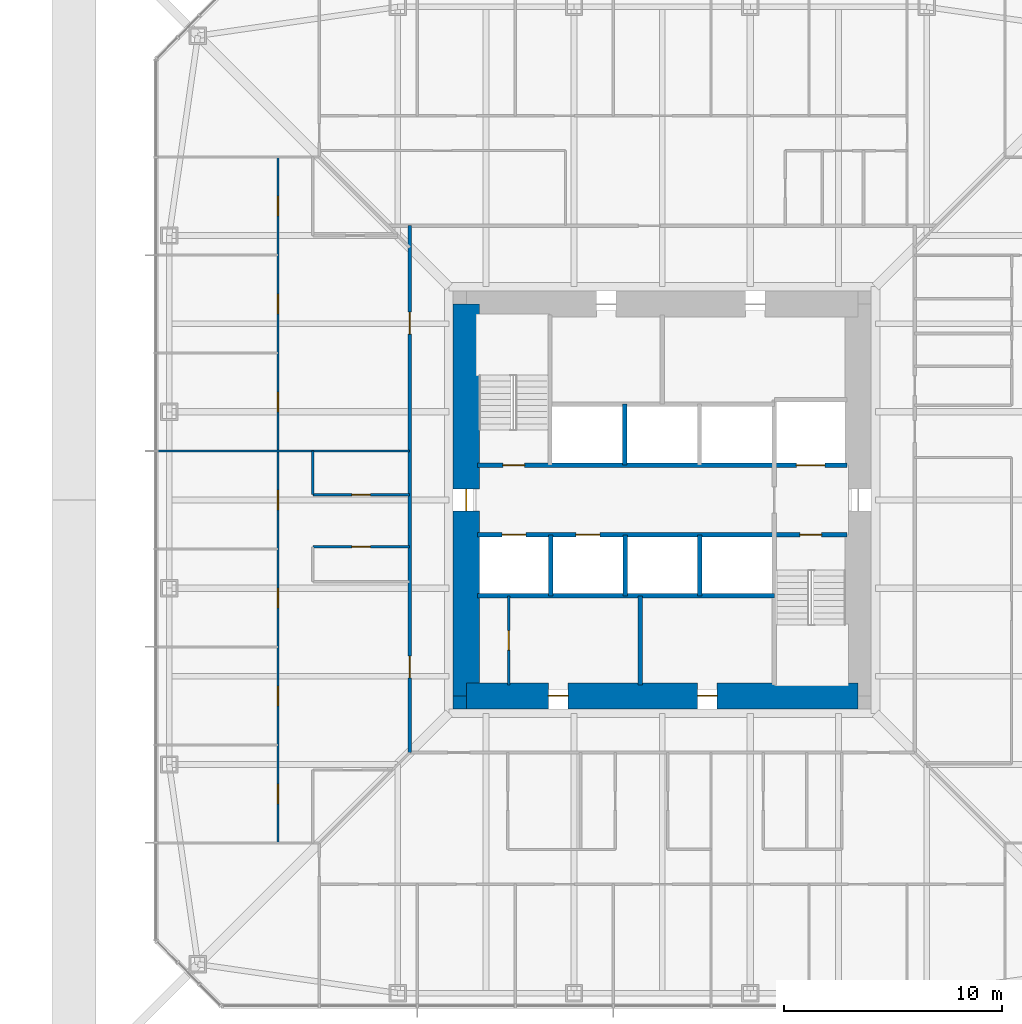
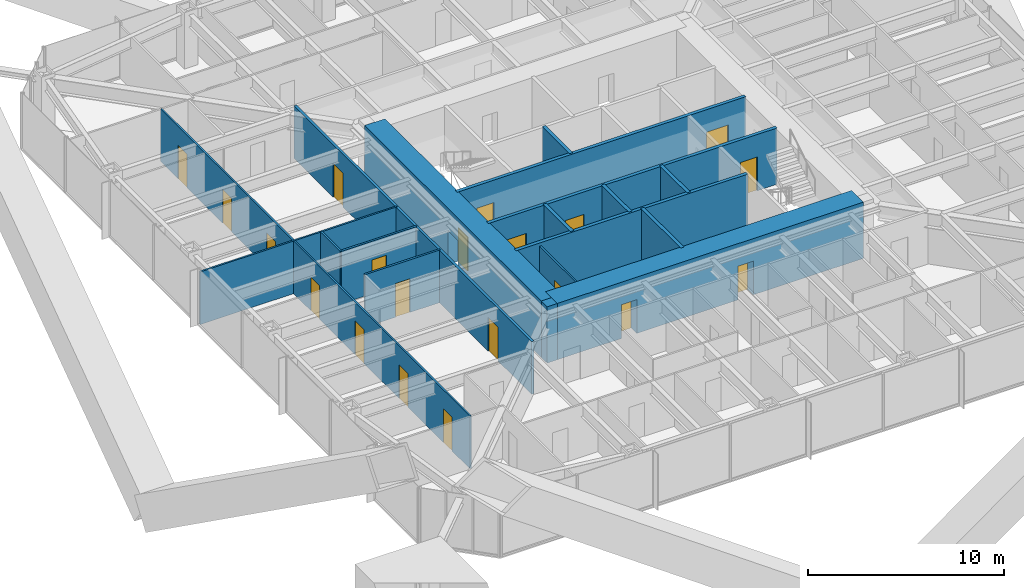
# One storey, part 17 of 28: 20 doors, 18 walls, 20 openings.
"""IFC4 building model written with IfcOpenShell, lengths in metres."""

from ifc_helpers import new_model, si_unit, direction, frame, frame_2d, origin, place, context, subcontext, project, spatial, rectangle, extrude, material, layer, layer_set, type_object, element, fill, save


model = new_model("IFC4")

# Units and contexts
model_context = context("Model", 3, precision=1e-05, world=origin(), true_north=direction((0.0, 1.0)))
body_context = subcontext(model_context, "Body", "Model", "MODEL_VIEW")
ifc_project = project(units=[si_unit("LENGTHUNIT", "METRE"), si_unit("AREAUNIT", "SQUARE_METRE"), si_unit("VOLUMEUNIT", "CUBIC_METRE"), si_unit("PLANEANGLEUNIT", "RADIAN"), si_unit("MASSUNIT", "GRAM", prefix="KILO")], contexts=[model_context])

# Site, building, storey
site_placement = place(None, origin())
site = spatial("IfcSite", under=ifc_project, at=site_placement, CompositionType="ELEMENT")
building_placement = place(site_placement, origin())
building = spatial("IfcBuilding", under=site, at=building_placement, Name="Iwan Alto Co-Living Towers", CompositionType="ELEMENT")
storey_placement = place(building_placement, frame((0.0, 0.0, 64.0)))
storey = spatial("IfcBuildingStorey", under=building, at=storey_placement, Name="L17", CompositionType="ELEMENT", Elevation=64.0)

# Wall, openings, doors
ifc_material_1 = material(Name="Gypsum board")
ifc_layer_1 = layer(ifc_material_1, 0.02490234375, Name="Board", Category="Finish")
ifc_material_2 = material(Name="Steel ASTM A1003 ST33H cold-formed studs", Category="steel")
ifc_layer_2 = layer(ifc_material_2, 0.10009765625, Name="Studs", Category="Framing")
ifc_layer_3 = layer(ifc_material_1, 0.02490234375, Name="Board", Category="Finish")
ifc_layer_set_1 = layer_set([ifc_layer_1, ifc_layer_2, ifc_layer_3], Name="CORRIDOR WALL 150")
wall_type_1 = type_object("IfcWallType", Name="CORRIDOR WALL 150", PredefinedType="PARTITIONING", material=ifc_layer_set_1)
wall_1_placement = place(storey_placement, frame((-11.60009765625, -11.60009765625, 0.0), z_axis=(0.0, 0.0, 1.0), x_axis=(0.0, 1.0, 0.0)))
wall_1 = element("IfcWall", 1, at=wall_1_placement, inside=storey, type_object=wall_type_1, Name="Partition L17", PredefinedType="PARTITIONING", context=body_context, shape_type="SweptSolid", body=[
    extrude(rectangle(XDim=24.2001953125, YDim=0.14990234375, at=frame_2d((12.10009765625, 0.0))), origin(), (0.0, 0.0, 1.0), 3.27001953125),
])
opening_1_placement = place(wall_1_placement, frame((19.22509765625, 0.0, 0.0)))
opening_1 = element("IfcOpeningElement", 2, at=opening_1_placement, cuts=wall_1, Name="Opening D3", PredefinedType="OPENING", context=body_context, shape_type="SweptSolid", body=[
    extrude(rectangle(XDim=1.0, YDim=2.10009765625, at=frame_2d((0.5, 1.050048828125))), frame((0.0, 0.0849609375, 0.0), z_axis=(0.0, -1.0, 0.0), x_axis=(1.0, 0.0, 0.0)), (0.0, 0.0, 1.0), 0.169921875),
])
opening_2_placement = place(wall_1_placement, frame((3.425048828125, 0.0, 0.0)))
opening_2 = element("IfcOpeningElement", 3, at=opening_2_placement, cuts=wall_1, Name="Opening D3", PredefinedType="OPENING", context=body_context, shape_type="SweptSolid", body=[
    extrude(rectangle(XDim=1.0, YDim=2.10009765625, at=frame_2d((0.5, 1.050048828125))), frame((0.0, 0.0849609375, 0.0), z_axis=(0.0, -1.0, 0.0), x_axis=(1.0, 0.0, 0.0)), (0.0, 0.0, 1.0), 0.169921875),
])
ifc_material_3 = material(Name="Steel frame with timber leaf", Category="steel")
door_type_1 = type_object("IfcDoorType", Name="FLAT ENTRANCE DOOR FD30S 1000X2100", OperationType="SINGLE_SWING_LEFT", PredefinedType="DOOR", material=ifc_material_3)
door_1_placement = place(opening_1_placement, origin())
door_1 = element("IfcDoor", 4, at=door_1_placement, inside=storey, type_object=door_type_1, Name="Cluster lounge and shared kitchen door L17", OperationType="SINGLE_SWING_RIGHT", OverallHeight=2.10009765625, OverallWidth=1.0, PredefinedType="DOOR", context=body_context, shape_type="SweptSolid", body=[
    extrude(rectangle(XDim=1.0, YDim=2.10009765625, at=frame_2d((0.5, 1.050048828125))), frame((0.0, 0.02490234375, 0.0), z_axis=(0.0, -1.0, 0.0), x_axis=(1.0, 0.0, 0.0)), (0.0, 0.0, 1.0), 0.050048828125),
])
fill(opening_1, door_1)
door_2_placement = place(opening_2_placement, origin())
door_2 = element("IfcDoor", 5, at=door_2_placement, inside=storey, type_object=door_type_1, Name="Cluster lounge and shared kitchen door L17", OperationType="SINGLE_SWING_RIGHT", OverallHeight=2.10009765625, OverallWidth=1.0, PredefinedType="DOOR", context=body_context, shape_type="SweptSolid", body=[
    extrude(rectangle(XDim=1.0, YDim=2.10009765625, at=frame_2d((0.5, 1.050048828125))), frame((0.0, 0.02490234375, 0.0), z_axis=(0.0, -1.0, 0.0), x_axis=(1.0, 0.0, 0.0)), (0.0, 0.0, 1.0), 0.050048828125),
])
fill(opening_2, door_2)

# Wall
ifc_layer_4 = layer(ifc_material_1, 0.012451171875, Name="Board", Category="Finish")
ifc_layer_5 = layer(ifc_material_2, 0.074951171875, Name="Studs", Category="Framing")
ifc_layer_6 = layer(ifc_material_1, 0.012451171875, Name="Board", Category="Finish")
ifc_layer_set_2 = layer_set([ifc_layer_4, ifc_layer_5, ifc_layer_6], Name="PARTITION 100")
wall_type_2 = type_object("IfcWallType", Name="PARTITION 100", PredefinedType="PARTITIONING", material=ifc_layer_set_2)
wall_2_placement = place(storey_placement, frame((-23.18994140625, 2.25, 0.0), z_axis=(0.0, 0.0, 1.0), x_axis=(1.0, 0.0, 0.0)))
element("IfcWall", 6, at=wall_2_placement, inside=storey, type_object=wall_type_2, Name="Partition L17", PredefinedType="PARTITIONING", context=body_context, shape_type="SweptSolid", body=[
    extrude(rectangle(XDim=11.58984375, YDim=0.10009765625, at=frame_2d((5.794921875, 0.0))), origin(), (0.0, 0.0, 1.0), 3.27001953125),
])

# Wall, opening, door
wall_3_placement = place(storey_placement, frame((-7.050048828125, -8.489990234375, 0.0), z_axis=(0.0, 0.0, 1.0), x_axis=(0.0, 1.0, 0.0)))
wall_3 = element("IfcWall", 7, at=wall_3_placement, inside=storey, type_object=wall_type_2, Name="Partition L17", PredefinedType="PARTITIONING", context=body_context, shape_type="SweptSolid", body=[
    extrude(rectangle(XDim=4.090087890625, YDim=0.10009765625, at=frame_2d((2.044921875, 0.0))), origin(), (0.0, 0.0, 1.0), 3.300048828125),
])
opening_3_placement = place(wall_3_placement, frame((1.594970703125, 0.0, 0.0)))
opening_3 = element("IfcOpeningElement", 8, at=opening_3_placement, cuts=wall_3, Name="Opening D16", PredefinedType="OPENING", context=body_context, shape_type="SweptSolid", body=[
    extrude(rectangle(XDim=0.89990234375, YDim=2.10009765625, at=frame_2d((0.449951171875, 1.050048828125))), frame((0.0, 0.06005859375, 0.0), z_axis=(0.0, -1.0, 0.0), x_axis=(1.0, 0.0, 0.0)), (0.0, 0.0, 1.0), 0.1201171875),
])
ifc_material_4 = material(Name="Timber leaf in steel frame", Category="steel")
door_type_2 = type_object("IfcDoorType", Name="CUPBOARD SLIDING DOOR 900X2100", OperationType="SLIDING_TO_LEFT", PredefinedType="DOOR", material=ifc_material_4)
door_3_placement = place(opening_3_placement, origin())
door_3 = element("IfcDoor", 9, at=door_3_placement, inside=storey, type_object=door_type_2, Name="Bin store door L17", OperationType="SLIDING_TO_LEFT", OverallHeight=2.10009765625, OverallWidth=0.89990234375, PredefinedType="DOOR", context=body_context, shape_type="SweptSolid", body=[
    extrude(rectangle(XDim=0.89990234375, YDim=2.10009765625, at=frame_2d((0.449951171875, 1.050048828125))), frame((0.0, 0.02490234375, 0.0), z_axis=(0.0, -1.0, 0.0), x_axis=(1.0, 0.0, 0.0)), (0.0, 0.0, 1.0), 0.050048828125),
])
fill(opening_3, door_3)

# Wall, openings, doors
wall_4_placement = place(storey_placement, frame((-17.64990234375, -15.75, 0.0), z_axis=(0.0, 0.0, 1.0), x_axis=(0.0, 1.0, 0.0)))
wall_4 = element("IfcWall", 10, at=wall_4_placement, inside=storey, type_object=wall_type_2, Name="Partition L17", PredefinedType="PARTITIONING", context=body_context, shape_type="SweptSolid", body=[
    extrude(rectangle(XDim=31.5, YDim=0.10009765625, at=frame_2d((15.75, 0.0))), origin(), (0.0, 0.0, 1.0), 3.27001953125),
])
opening_4_placement = place(wall_4_placement, frame((28.800048828125, 0.0, 0.0)))
opening_4 = element("IfcOpeningElement", 11, at=opening_4_placement, cuts=wall_4, Name="Opening D1", PredefinedType="OPENING", context=body_context, shape_type="SweptSolid", body=[
    extrude(rectangle(XDim=0.89990234375, YDim=2.10009765625, at=frame_2d((0.449951171875, 1.050048828125))), frame((0.0, 0.06005859375, 0.0), z_axis=(0.0, -1.0, 0.0), x_axis=(1.0, 0.0, 0.0)), (0.0, 0.0, 1.0), 0.1201171875),
])
opening_5_placement = place(wall_4_placement, frame((24.300048828125, 0.0, 0.0)))
opening_5 = element("IfcOpeningElement", 12, at=opening_5_placement, cuts=wall_4, Name="Opening D1", PredefinedType="OPENING", context=body_context, shape_type="SweptSolid", body=[
    extrude(rectangle(XDim=0.89990234375, YDim=2.10009765625, at=frame_2d((0.449951171875, 1.050048828125))), frame((0.0, 0.06005859375, 0.0), z_axis=(0.0, -1.0, 0.0), x_axis=(1.0, 0.0, 0.0)), (0.0, 0.0, 1.0), 0.1201171875),
])
opening_6_placement = place(wall_4_placement, frame((19.800048828125, 0.0, 0.0)))
opening_6 = element("IfcOpeningElement", 13, at=opening_6_placement, cuts=wall_4, Name="Opening D1", PredefinedType="OPENING", context=body_context, shape_type="SweptSolid", body=[
    extrude(rectangle(XDim=0.89990234375, YDim=2.10009765625, at=frame_2d((0.449951171875, 1.050048828125))), frame((0.0, 0.06005859375, 0.0), z_axis=(0.0, -1.0, 0.0), x_axis=(1.0, 0.0, 0.0)), (0.0, 0.0, 1.0), 0.1201171875),
])
opening_7_placement = place(wall_4_placement, frame((15.300048828125, 0.0, 0.0)))
opening_7 = element("IfcOpeningElement", 14, at=opening_7_placement, cuts=wall_4, Name="Opening D1", PredefinedType="OPENING", context=body_context, shape_type="SweptSolid", body=[
    extrude(rectangle(XDim=0.89990234375, YDim=2.10009765625, at=frame_2d((0.449951171875, 1.050048828125))), frame((0.0, 0.06005859375, 0.0), z_axis=(0.0, -1.0, 0.0), x_axis=(1.0, 0.0, 0.0)), (0.0, 0.0, 1.0), 0.1201171875),
])
opening_8_placement = place(wall_4_placement, frame((10.800048828125, 0.0, 0.0)))
opening_8 = element("IfcOpeningElement", 15, at=opening_8_placement, cuts=wall_4, Name="Opening D1", PredefinedType="OPENING", context=body_context, shape_type="SweptSolid", body=[
    extrude(rectangle(XDim=0.89990234375, YDim=2.10009765625, at=frame_2d((0.449951171875, 1.050048828125))), frame((0.0, 0.06005859375, 0.0), z_axis=(0.0, -1.0, 0.0), x_axis=(1.0, 0.0, 0.0)), (0.0, 0.0, 1.0), 0.1201171875),
])
opening_9_placement = place(wall_4_placement, frame((6.300048828125, 0.0, 0.0)))
opening_9 = element("IfcOpeningElement", 16, at=opening_9_placement, cuts=wall_4, Name="Opening D1", PredefinedType="OPENING", context=body_context, shape_type="SweptSolid", body=[
    extrude(rectangle(XDim=0.89990234375, YDim=2.10009765625, at=frame_2d((0.449951171875, 1.050048828125))), frame((0.0, 0.06005859375, 0.0), z_axis=(0.0, -1.0, 0.0), x_axis=(1.0, 0.0, 0.0)), (0.0, 0.0, 1.0), 0.1201171875),
])
opening_10_placement = place(wall_4_placement, frame((1.800048828125, 0.0, 0.0)))
opening_10 = element("IfcOpeningElement", 17, at=opening_10_placement, cuts=wall_4, Name="Opening D1", PredefinedType="OPENING", context=body_context, shape_type="SweptSolid", body=[
    extrude(rectangle(XDim=0.89990234375, YDim=2.10009765625, at=frame_2d((0.449951171875, 1.050048828125))), frame((0.0, 0.06005859375, 0.0), z_axis=(0.0, -1.0, 0.0), x_axis=(1.0, 0.0, 0.0)), (0.0, 0.0, 1.0), 0.1201171875),
])
ifc_material_5 = material(Name="Timber leaf in steel frame", Category="steel")
door_type_3 = type_object("IfcDoorType", Name="BEDROOM DOOR 900X2100", OperationType="SINGLE_SWING_LEFT", PredefinedType="DOOR", material=ifc_material_5)
door_4_placement = place(opening_4_placement, frame((0.89990234375, 0.0, 0.0), z_axis=(0.0, 0.0, 1.0), x_axis=(-1.0, 0.0, 0.0)))
door_4 = element("IfcDoor", 18, at=door_4_placement, inside=storey, type_object=door_type_3, Name="Study bedroom door L17", OperationType="SINGLE_SWING_LEFT", OverallHeight=2.10009765625, OverallWidth=0.89990234375, PredefinedType="DOOR", context=body_context, shape_type="SweptSolid", body=[
    extrude(rectangle(XDim=0.89990234375, YDim=2.10009765625, at=frame_2d((0.449951171875, 1.050048828125))), frame((0.0, 0.02490234375, 0.0), z_axis=(0.0, -1.0, 0.0), x_axis=(1.0, 0.0, 0.0)), (0.0, 0.0, 1.0), 0.050048828125),
])
fill(opening_4, door_4)
door_5_placement = place(opening_5_placement, frame((0.89990234375, 0.0, 0.0), z_axis=(0.0, 0.0, 1.0), x_axis=(-1.0, 0.0, 0.0)))
door_5 = element("IfcDoor", 19, at=door_5_placement, inside=storey, type_object=door_type_3, Name="Study bedroom door L17", OperationType="SINGLE_SWING_RIGHT", OverallHeight=2.10009765625, OverallWidth=0.89990234375, PredefinedType="DOOR", context=body_context, shape_type="SweptSolid", body=[
    extrude(rectangle(XDim=0.89990234375, YDim=2.10009765625, at=frame_2d((0.449951171875, 1.050048828125))), frame((0.0, 0.02490234375, 0.0), z_axis=(0.0, -1.0, 0.0), x_axis=(1.0, 0.0, 0.0)), (0.0, 0.0, 1.0), 0.050048828125),
])
fill(opening_5, door_5)
door_6_placement = place(opening_6_placement, frame((0.89990234375, 0.0, 0.0), z_axis=(0.0, 0.0, 1.0), x_axis=(-1.0, 0.0, 0.0)))
door_6 = element("IfcDoor", 20, at=door_6_placement, inside=storey, type_object=door_type_3, Name="Study bedroom door L17", OperationType="SINGLE_SWING_RIGHT", OverallHeight=2.10009765625, OverallWidth=0.89990234375, PredefinedType="DOOR", context=body_context, shape_type="SweptSolid", body=[
    extrude(rectangle(XDim=0.89990234375, YDim=2.10009765625, at=frame_2d((0.449951171875, 1.050048828125))), frame((0.0, 0.02490234375, 0.0), z_axis=(0.0, -1.0, 0.0), x_axis=(1.0, 0.0, 0.0)), (0.0, 0.0, 1.0), 0.050048828125),
])
fill(opening_6, door_6)
door_7_placement = place(opening_7_placement, frame((0.89990234375, 0.0, 0.0), z_axis=(0.0, 0.0, 1.0), x_axis=(-1.0, 0.0, 0.0)))
door_7 = element("IfcDoor", 21, at=door_7_placement, inside=storey, type_object=door_type_3, Name="Study bedroom door L17", OperationType="SINGLE_SWING_LEFT", OverallHeight=2.10009765625, OverallWidth=0.89990234375, PredefinedType="DOOR", context=body_context, shape_type="SweptSolid", body=[
    extrude(rectangle(XDim=0.89990234375, YDim=2.10009765625, at=frame_2d((0.449951171875, 1.050048828125))), frame((0.0, 0.02490234375, 0.0), z_axis=(0.0, -1.0, 0.0), x_axis=(1.0, 0.0, 0.0)), (0.0, 0.0, 1.0), 0.050048828125),
])
fill(opening_7, door_7)
door_8_placement = place(opening_8_placement, frame((0.89990234375, 0.0, 0.0), z_axis=(0.0, 0.0, 1.0), x_axis=(-1.0, 0.0, 0.0)))
door_8 = element("IfcDoor", 22, at=door_8_placement, inside=storey, type_object=door_type_3, Name="Study bedroom door L17", OperationType="SINGLE_SWING_LEFT", OverallHeight=2.10009765625, OverallWidth=0.89990234375, PredefinedType="DOOR", context=body_context, shape_type="SweptSolid", body=[
    extrude(rectangle(XDim=0.89990234375, YDim=2.10009765625, at=frame_2d((0.449951171875, 1.050048828125))), frame((0.0, 0.02490234375, 0.0), z_axis=(0.0, -1.0, 0.0), x_axis=(1.0, 0.0, 0.0)), (0.0, 0.0, 1.0), 0.050048828125),
])
fill(opening_8, door_8)
door_9_placement = place(opening_9_placement, frame((0.89990234375, 0.0, 0.0), z_axis=(0.0, 0.0, 1.0), x_axis=(-1.0, 0.0, 0.0)))
door_9 = element("IfcDoor", 23, at=door_9_placement, inside=storey, type_object=door_type_3, Name="Study bedroom door L17", OperationType="SINGLE_SWING_RIGHT", OverallHeight=2.10009765625, OverallWidth=0.89990234375, PredefinedType="DOOR", context=body_context, shape_type="SweptSolid", body=[
    extrude(rectangle(XDim=0.89990234375, YDim=2.10009765625, at=frame_2d((0.449951171875, 1.050048828125))), frame((0.0, 0.02490234375, 0.0), z_axis=(0.0, -1.0, 0.0), x_axis=(1.0, 0.0, 0.0)), (0.0, 0.0, 1.0), 0.050048828125),
])
fill(opening_9, door_9)
door_10_placement = place(opening_10_placement, frame((0.89990234375, 0.0, 0.0), z_axis=(0.0, 0.0, 1.0), x_axis=(-1.0, 0.0, 0.0)))
door_10 = element("IfcDoor", 24, at=door_10_placement, inside=storey, type_object=door_type_3, Name="Study bedroom door L17", OperationType="SINGLE_SWING_RIGHT", OverallHeight=2.10009765625, OverallWidth=0.89990234375, PredefinedType="DOOR", context=body_context, shape_type="SweptSolid", body=[
    extrude(rectangle(XDim=0.89990234375, YDim=2.10009765625, at=frame_2d((0.449951171875, 1.050048828125))), frame((0.0, 0.02490234375, 0.0), z_axis=(0.0, -1.0, 0.0), x_axis=(1.0, 0.0, 0.0)), (0.0, 0.0, 1.0), 0.050048828125),
])
fill(opening_10, door_10)

# Wall
ifc_material_6 = material(Name="Concrete f'c 70 MPa", Category="concrete")
ifc_layer_7 = layer(ifc_material_6, 0.199951171875)
ifc_layer_set_3 = layer_set([ifc_layer_7], Name="SHAFT WALL 200")
wall_type_3 = type_object("IfcWallType", Name="SHAFT WALL 200", PredefinedType="SOLIDWALL", material=ifc_layer_set_3)
wall_5_placement = place(storey_placement, frame((-8.489990234375, -4.39990234375, 0.0), z_axis=(0.0, 0.0, 1.0), x_axis=(1.0, 0.0, 0.0)))
element("IfcWall", 25, at=wall_5_placement, inside=storey, type_object=wall_type_3, Name="Shaft wall L17", PredefinedType="SOLIDWALL", context=body_context, shape_type="SweptSolid", body=[
    extrude(rectangle(XDim=13.639892578125, YDim=0.199951171875, at=frame_2d((6.81982421875, 0.0))), origin(), (0.0, 0.0, 1.0), 3.5),
])

# Wall, openings, doors
wall_6_placement = place(storey_placement, frame((-8.489990234375, -1.60009765625, 0.0), z_axis=(0.0, 0.0, 1.0), x_axis=(1.0, 0.0, 0.0)))
wall_6 = element("IfcWall", 26, at=wall_6_placement, inside=storey, type_object=wall_type_3, Name="Shaft wall L17", PredefinedType="SOLIDWALL", context=body_context, shape_type="SweptSolid", body=[
    extrude(rectangle(XDim=16.97998046875, YDim=0.199951171875, at=frame_2d((8.489990234375, 0.0))), origin(), (0.0, 0.0, 1.0), 3.5),
])
opening_11_placement = place(wall_6_placement, frame((14.81005859375, 0.0, 0.0)))
opening_11 = element("IfcOpeningElement", 27, at=opening_11_placement, cuts=wall_6, Name="Opening D5", PredefinedType="OPENING", context=body_context, shape_type="SweptSolid", body=[
    extrude(rectangle(XDim=1.0, YDim=2.10009765625, at=frame_2d((0.5, 1.050048828125))), frame((0.0, 0.10986328125, 0.0), z_axis=(0.0, -1.0, 0.0), x_axis=(1.0, 0.0, 0.0)), (0.0, 0.0, 1.0), 0.219970703125),
])
opening_12_placement = place(wall_6_placement, frame((1.133056640625, 0.0, 0.0)))
opening_12 = element("IfcOpeningElement", 28, at=opening_12_placement, cuts=wall_6, Name="Opening LD", PredefinedType="OPENING", context=body_context, shape_type="SweptSolid", body=[
    extrude(rectangle(XDim=1.10009765625, YDim=2.10009765625, at=frame_2d((0.550048828125, 1.050048828125))), frame((0.0, 0.10986328125, 0.0), z_axis=(0.0, -1.0, 0.0), x_axis=(1.0, 0.0, 0.0)), (0.0, 0.0, 1.0), 0.219970703125),
])
opening_13_placement = place(wall_6_placement, frame((4.528076171875, 0.0, 0.0)))
opening_13 = element("IfcOpeningElement", 29, at=opening_13_placement, cuts=wall_6, Name="Opening LD", PredefinedType="OPENING", context=body_context, shape_type="SweptSolid", body=[
    extrude(rectangle(XDim=1.10009765625, YDim=2.10009765625, at=frame_2d((0.550048828125, 1.050048828125))), frame((0.0, 0.10986328125, 0.0), z_axis=(0.0, -1.0, 0.0), x_axis=(1.0, 0.0, 0.0)), (0.0, 0.0, 1.0), 0.219970703125),
])
ifc_material_7 = material(Name="Steel frame with timber leaf", Category="steel")
door_type_4 = type_object("IfcDoorType", Name="LIFT LANDING DOOR 1100X2100", OperationType="DOUBLE_DOOR_SLIDING", PredefinedType="DOOR", material=ifc_material_7)
door_11_placement = place(opening_12_placement, origin())
door_11 = element("IfcDoor", 30, at=door_11_placement, inside=storey, type_object=door_type_4, Name="Lift P1-1 landing door L17", OperationType="DOUBLE_DOOR_SLIDING", OverallHeight=2.10009765625, OverallWidth=1.10009765625, PredefinedType="DOOR", context=body_context, shape_type="SweptSolid", body=[
    extrude(rectangle(XDim=1.10009765625, YDim=2.10009765625, at=frame_2d((0.550048828125, 1.050048828125))), frame((0.0, 0.02490234375, 0.0), z_axis=(0.0, -1.0, 0.0), x_axis=(1.0, 0.0, 0.0)), (0.0, 0.0, 1.0), 0.050048828125),
])
fill(opening_12, door_11)
door_12_placement = place(opening_13_placement, origin())
door_12 = element("IfcDoor", 31, at=door_12_placement, inside=storey, type_object=door_type_4, Name="Lift P1-2 landing door L17", OperationType="DOUBLE_DOOR_SLIDING", OverallHeight=2.10009765625, OverallWidth=1.10009765625, PredefinedType="DOOR", context=body_context, shape_type="SweptSolid", body=[
    extrude(rectangle(XDim=1.10009765625, YDim=2.10009765625, at=frame_2d((0.550048828125, 1.050048828125))), frame((0.0, 0.02490234375, 0.0), z_axis=(0.0, -1.0, 0.0), x_axis=(1.0, 0.0, 0.0)), (0.0, 0.0, 1.0), 0.050048828125),
])
fill(opening_13, door_12)
ifc_material_8 = material(Name="Steel frame with timber leaf", Category="steel")
door_type_5 = type_object("IfcDoorType", Name="STAIR DOOR FD120S 1000X2100", OperationType="SINGLE_SWING_LEFT", PredefinedType="DOOR", material=ifc_material_8)
door_13_placement = place(opening_11_placement, frame((1.0, 0.0, 0.0), z_axis=(0.0, 0.0, 1.0), x_axis=(-1.0, 0.0, 0.0)))
door_13 = element("IfcDoor", 32, at=door_13_placement, inside=storey, type_object=door_type_5, Name="Stair S2 door L17", OperationType="SINGLE_SWING_RIGHT", OverallHeight=2.10009765625, OverallWidth=1.0, PredefinedType="DOOR", context=body_context, shape_type="SweptSolid", body=[
    extrude(rectangle(XDim=1.0, YDim=2.10009765625, at=frame_2d((0.5, 1.050048828125))), frame((0.0, 0.02490234375, 0.0), z_axis=(0.0, -1.0, 0.0), x_axis=(1.0, 0.0, 0.0)), (0.0, 0.0, 1.0), 0.050048828125),
])
fill(opening_11, door_13)

wall_7_placement = place(storey_placement, frame((-8.489990234375, 1.60009765625, 0.0), z_axis=(0.0, 0.0, 1.0), x_axis=(1.0, 0.0, 0.0)))
wall_7 = element("IfcWall", 33, at=wall_7_placement, inside=storey, type_object=wall_type_3, Name="Shaft wall L17", PredefinedType="SOLIDWALL", context=body_context, shape_type="SweptSolid", body=[
    extrude(rectangle(XDim=16.97998046875, YDim=0.199951171875, at=frame_2d((8.489990234375, 0.0))), origin(), (0.0, 0.0, 1.0), 3.5),
])
opening_14_placement = place(wall_7_placement, frame((1.169921875, 0.0, 0.0)))
opening_14 = element("IfcOpeningElement", 34, at=opening_14_placement, cuts=wall_7, Name="Opening D5", PredefinedType="OPENING", context=body_context, shape_type="SweptSolid", body=[
    extrude(rectangle(XDim=1.0, YDim=2.10009765625, at=frame_2d((0.5, 1.050048828125))), frame((0.0, 0.10986328125, 0.0), z_axis=(0.0, -1.0, 0.0), x_axis=(1.0, 0.0, 0.0)), (0.0, 0.0, 1.0), 0.219970703125),
])
opening_15_placement = place(wall_7_placement, frame((14.659912109375, 0.0, 0.0)))
opening_15 = element("IfcOpeningElement", 35, at=opening_15_placement, cuts=wall_7, Name="Opening LD2", PredefinedType="OPENING", context=body_context, shape_type="SweptSolid", body=[
    extrude(rectangle(XDim=1.300048828125, YDim=2.10009765625, at=frame_2d((0.64990234375, 1.050048828125))), frame((0.0, 0.10986328125, 0.0), z_axis=(0.0, -1.0, 0.0), x_axis=(1.0, 0.0, 0.0)), (0.0, 0.0, 1.0), 0.219970703125),
])
ifc_material_9 = material(Name="Steel frame with timber leaf", Category="steel")
door_type_6 = type_object("IfcDoorType", Name="LIFT LANDING DOOR 1300X2100", OperationType="SLIDING_TO_LEFT", PredefinedType="DOOR", material=ifc_material_9)
door_14_placement = place(opening_15_placement, origin())
door_14 = element("IfcDoor", 36, at=door_14_placement, inside=storey, type_object=door_type_6, Name="Lift FL1 landing door L17", OperationType="SLIDING_TO_LEFT", OverallHeight=2.10009765625, OverallWidth=1.300048828125, PredefinedType="DOOR", context=body_context, shape_type="SweptSolid", body=[
    extrude(rectangle(XDim=1.300048828125, YDim=2.10009765625, at=frame_2d((0.64990234375, 1.050048828125))), frame((0.0, 0.02490234375, 0.0), z_axis=(0.0, -1.0, 0.0), x_axis=(1.0, 0.0, 0.0)), (0.0, 0.0, 1.0), 0.050048828125),
])
fill(opening_15, door_14)
door_15_placement = place(opening_14_placement, origin())
door_15 = element("IfcDoor", 37, at=door_15_placement, inside=storey, type_object=door_type_5, Name="Stair S1 door L17", OperationType="SINGLE_SWING_RIGHT", OverallHeight=2.10009765625, OverallWidth=1.0, PredefinedType="DOOR", context=body_context, shape_type="SweptSolid", body=[
    extrude(rectangle(XDim=1.0, YDim=2.10009765625, at=frame_2d((0.5, 1.050048828125))), frame((0.0, 0.02490234375, 0.0), z_axis=(0.0, -1.0, 0.0), x_axis=(1.0, 0.0, 0.0)), (0.0, 0.0, 1.0), 0.050048828125),
])
fill(opening_14, door_15)

# Walls
wall_8_placement = place(storey_placement, frame((1.72509765625, -4.39990234375, 0.0), z_axis=(0.0, 0.0, 1.0), x_axis=(0.0, 1.0, 0.0)))
element("IfcWall", 38, at=wall_8_placement, inside=storey, type_object=wall_type_3, Name="Shaft wall L17", PredefinedType="SOLIDWALL", context=body_context, shape_type="SweptSolid", body=[
    extrude(rectangle(XDim=2.7998046875, YDim=0.199951171875, at=frame_2d((1.39990234375, 0.0))), origin(), (0.0, 0.0, 1.0), 3.5),
])
wall_9_placement = place(storey_placement, frame((-1.0, -8.489990234375, 0.0), z_axis=(0.0, 0.0, 1.0), x_axis=(0.0, 1.0, 0.0)))
element("IfcWall", 39, at=wall_9_placement, inside=storey, type_object=wall_type_3, Name="Shaft wall L17", PredefinedType="SOLIDWALL", context=body_context, shape_type="SweptSolid", body=[
    extrude(rectangle(XDim=4.090087890625, YDim=0.199951171875, at=frame_2d((2.044921875, 0.0))), origin(), (0.0, 0.0, 1.0), 3.5),
])
for number, where, z_axis, x_axis, name in (
    (40, (-1.699951171875, -4.39990234375, 0.0), (0.0, 0.0, 1.0), (0.0, 1.0, 0.0), "Shaft wall L17"),
    (41, (-1.717041015625, 1.60009765625, 0.0), (0.0, 0.0, 1.0), (0.0, 1.0, 0.0), "Shaft wall L17"),
    (42, (-5.125, -4.39990234375, 0.0), (0.0, 0.0, 1.0), (0.0, 1.0, 0.0), "Shaft wall L17"),
):
    element("IfcWall", number, at=place(storey_placement, frame(where, z_axis=z_axis, x_axis=x_axis)), inside=storey, type_object=wall_type_3, Name=name, PredefinedType="SOLIDWALL", context=body_context, shape_type="SweptSolid", body=[
        extrude(rectangle(XDim=2.7998046875, YDim=0.199951171875, at=frame_2d((1.39990234375, 0.0))), origin(), (0.0, 0.0, 1.0), 3.5),
    ])
ifc_material_10 = material(Name="Concrete f'c 70 MPa", Category="concrete")
ifc_layer_8 = layer(ifc_material_10, 0.60009765625)
ifc_layer_set_4 = layer_set([ifc_layer_8], Name="T1 CORE CORNER FILL 600")
wall_type_4 = type_object("IfcWallType", Name="T1 CORE CORNER FILL 600", PredefinedType="SOLIDWALL", material=ifc_layer_set_4)
wall_10_placement = place(storey_placement, frame((-9.60009765625, -9.300048828125, 0.0), z_axis=(0.0, 0.0, 1.0), x_axis=(1.0, 0.0, 0.0)))
element("IfcWall", 43, at=wall_10_placement, inside=storey, type_object=wall_type_4, Name="T1 core corner SW L17", PredefinedType="SOLIDWALL", context=body_context, shape_type="SweptSolid", body=[
    extrude(rectangle(XDim=0.60009765625, YDim=0.60009765625, at=frame_2d((0.300048828125, 0.0))), origin(), (0.0, 0.0, 1.0), 3.5),
])

# Wall, openings, doors
ifc_material_11 = material(Name="Concrete f'c 70 MPa", Category="concrete")
ifc_layer_9 = layer(ifc_material_11, 1.199951171875)
ifc_layer_set_5 = layer_set([ifc_layer_9], Name="T1 CORE WALL 1200")
wall_type_5 = type_object("IfcWallType", Name="T1 CORE WALL 1200", PredefinedType="SHEAR", material=ifc_layer_set_5)
wall_11_placement = place(storey_placement, frame((-9.0, -9.0, 0.0), z_axis=(0.0, 0.0, 1.0), x_axis=(1.0, 0.0, 0.0)))
wall_11 = element("IfcWall", 44, at=wall_11_placement, inside=storey, type_object=wall_type_5, Name="T1 core wall S L17", PredefinedType="SHEAR", context=body_context, shape_type="SweptSolid", body=[
    extrude(rectangle(XDim=18.0, YDim=1.199951171875, at=frame_2d((9.0, 0.0))), origin(), (0.0, 0.0, 1.0), 3.5),
])
opening_16_placement = place(wall_11_placement, frame((3.77490234375, 0.0, 0.0)))
opening_16 = element("IfcOpeningElement", 45, at=opening_16_placement, cuts=wall_11, Name="Opening D8", PredefinedType="OPENING", context=body_context, shape_type="SweptSolid", body=[
    extrude(rectangle(XDim=0.89990234375, YDim=2.10009765625, at=frame_2d((0.449951171875, 1.050048828125))), frame((0.0, 0.60986328125, 0.0), z_axis=(0.0, -1.0, 0.0), x_axis=(1.0, 0.0, 0.0)), (0.0, 0.0, 1.0), 1.219970703125),
])
opening_17_placement = place(wall_11_placement, frame((10.625, 0.0, 0.0)))
opening_17 = element("IfcOpeningElement", 46, at=opening_17_placement, cuts=wall_11, Name="Opening D8", PredefinedType="OPENING", context=body_context, shape_type="SweptSolid", body=[
    extrude(rectangle(XDim=0.89990234375, YDim=2.10009765625, at=frame_2d((0.449951171875, 1.050048828125))), frame((0.0, 0.60986328125, 0.0), z_axis=(0.0, -1.0, 0.0), x_axis=(1.0, 0.0, 0.0)), (0.0, 0.0, 1.0), 1.219970703125),
])
ifc_material_12 = material(Name="Steel frame with timber leaf", Category="steel")
door_type_7 = type_object("IfcDoorType", Name="RISER DOOR FD120 900X2100", OperationType="SINGLE_SWING_LEFT", PredefinedType="DOOR", material=ifc_material_12)
door_16_placement = place(opening_16_placement, origin())
door_16 = element("IfcDoor", 47, at=door_16_placement, inside=storey, type_object=door_type_7, Name="Refuse room core door L17", OperationType="SINGLE_SWING_LEFT", OverallHeight=2.10009765625, OverallWidth=0.89990234375, PredefinedType="DOOR", context=body_context, shape_type="SweptSolid", body=[
    extrude(rectangle(XDim=0.89990234375, YDim=2.10009765625, at=frame_2d((0.449951171875, 1.050048828125))), frame((0.0, 0.02490234375, 0.0), z_axis=(0.0, -1.0, 0.0), x_axis=(1.0, 0.0, 0.0)), (0.0, 0.0, 1.0), 0.050048828125),
])
fill(opening_16, door_16)
door_17_placement = place(opening_17_placement, origin())
door_17 = element("IfcDoor", 48, at=door_17_placement, inside=storey, type_object=door_type_7, Name="Telecom riser core door L17", OperationType="SINGLE_SWING_LEFT", OverallHeight=2.10009765625, OverallWidth=0.89990234375, PredefinedType="DOOR", context=body_context, shape_type="SweptSolid", body=[
    extrude(rectangle(XDim=0.89990234375, YDim=2.10009765625, at=frame_2d((0.449951171875, 1.050048828125))), frame((0.0, 0.02490234375, 0.0), z_axis=(0.0, -1.0, 0.0), x_axis=(1.0, 0.0, 0.0)), (0.0, 0.0, 1.0), 0.050048828125),
])
fill(opening_17, door_17)

# Wall, opening, door
wall_12_placement = place(storey_placement, frame((-9.0, 9.0, 0.0), z_axis=(0.0, 0.0, 1.0), x_axis=(0.0, -1.0, 0.0)))
wall_12 = element("IfcWall", 49, at=wall_12_placement, inside=storey, type_object=wall_type_5, Name="T1 core wall W L17", PredefinedType="SHEAR", context=body_context, shape_type="SweptSolid", body=[
    extrude(rectangle(XDim=18.0, YDim=1.199951171875, at=frame_2d((9.0, 0.0))), origin(), (0.0, 0.0, 1.0), 3.5),
])
opening_18_placement = place(wall_12_placement, frame((8.5, 0.0, 0.0)))
opening_18 = element("IfcOpeningElement", 50, at=opening_18_placement, cuts=wall_12, Name="Opening D7", PredefinedType="OPENING", context=body_context, shape_type="SweptSolid", body=[
    extrude(rectangle(XDim=1.0, YDim=2.10009765625, at=frame_2d((0.5, 1.050048828125))), frame((0.0, 0.60986328125, 0.0), z_axis=(0.0, -1.0, 0.0), x_axis=(1.0, 0.0, 0.0)), (0.0, 0.0, 1.0), 1.219970703125),
])
ifc_material_13 = material(Name="Steel frame with timber leaf", Category="steel")
door_type_8 = type_object("IfcDoorType", Name="CORE DOOR FD120S 1000X2100", OperationType="SINGLE_SWING_LEFT", PredefinedType="DOOR", material=ifc_material_13)
door_18_placement = place(opening_18_placement, origin())
door_18 = element("IfcDoor", 51, at=door_18_placement, inside=storey, type_object=door_type_8, Name="Lift lobby core door L17", OperationType="SINGLE_SWING_RIGHT", OverallHeight=2.10009765625, OverallWidth=1.0, PredefinedType="DOOR", context=body_context, shape_type="SweptSolid", body=[
    extrude(rectangle(XDim=1.0, YDim=2.10009765625, at=frame_2d((0.5, 1.050048828125))), frame((0.0, 0.02490234375, 0.0), z_axis=(0.0, -1.0, 0.0), x_axis=(1.0, 0.0, 0.0)), (0.0, 0.0, 1.0), 0.050048828125),
])
fill(opening_18, door_18)

ifc_material_14 = material(Name="Cement board")
ifc_layer_10 = layer(ifc_material_14, 0.012451171875, Name="Board", Category="Finish")
ifc_layer_11 = layer(ifc_material_2, 0.094970703125, Name="Studs", Category="Framing")
ifc_layer_12 = layer(ifc_material_14, 0.012451171875, Name="Board", Category="Finish")
ifc_layer_set_6 = layer_set([ifc_layer_10, ifc_layer_11, ifc_layer_12], Name="WET AREA PARTITION 120")
wall_type_6 = type_object("IfcWallType", Name="WET AREA PARTITION 120", PredefinedType="PARTITIONING", material=ifc_layer_set_6)
wall_13_placement = place(storey_placement, frame((-16.050048828125, -2.14990234375, 0.0), z_axis=(0.0, 0.0, 1.0), x_axis=(1.0, 0.0, 0.0)))
wall_13 = element("IfcWall", 52, at=wall_13_placement, inside=storey, type_object=wall_type_6, Name="Partition L17", PredefinedType="PARTITIONING", context=body_context, shape_type="SweptSolid", body=[
    extrude(rectangle(XDim=4.449951171875, YDim=0.1201171875, at=frame_2d((2.22509765625, 0.0))), origin(), (0.0, 0.0, 1.0), 3.27001953125),
])
opening_19_placement = place(wall_13_placement, frame((1.800048828125, 0.0, 0.0)))
opening_19 = element("IfcOpeningElement", 53, at=opening_19_placement, cuts=wall_13, Name="Opening D2", PredefinedType="OPENING", context=body_context, shape_type="SweptSolid", body=[
    extrude(rectangle(XDim=0.85009765625, YDim=2.10009765625, at=frame_2d((0.425048828125, 1.050048828125))), frame((0.0, 0.070068359375, 0.0), z_axis=(0.0, -1.0, 0.0), x_axis=(1.0, 0.0, 0.0)), (0.0, 0.0, 1.0), 0.14013671875),
])
ifc_material_15 = material(Name="Timber leaf in steel frame", Category="steel")
door_type_9 = type_object("IfcDoorType", Name="ROOM DOOR 850X2100", OperationType="SINGLE_SWING_LEFT", PredefinedType="DOOR", material=ifc_material_15)
door_19_placement = place(opening_19_placement, origin())
door_19 = element("IfcDoor", 54, at=door_19_placement, inside=storey, type_object=door_type_9, Name="Accessible bathroom door L17", OperationType="SINGLE_SWING_RIGHT", OverallHeight=2.10009765625, OverallWidth=0.85009765625, PredefinedType="DOOR", context=body_context, shape_type="SweptSolid", body=[
    extrude(rectangle(XDim=0.85009765625, YDim=2.10009765625, at=frame_2d((0.425048828125, 1.050048828125))), frame((0.0, 0.02490234375, 0.0), z_axis=(0.0, -1.0, 0.0), x_axis=(1.0, 0.0, 0.0)), (0.0, 0.0, 1.0), 0.050048828125),
])
fill(opening_19, door_19)

wall_14_placement = place(storey_placement, frame((-16.050048828125, 0.25, 0.0), z_axis=(0.0, 0.0, 1.0), x_axis=(1.0, 0.0, 0.0)))
wall_14 = element("IfcWall", 55, at=wall_14_placement, inside=storey, type_object=wall_type_6, Name="Partition L17", PredefinedType="PARTITIONING", context=body_context, shape_type="SweptSolid", body=[
    extrude(rectangle(XDim=4.449951171875, YDim=0.1201171875, at=frame_2d((2.22509765625, 0.0))), origin(), (0.0, 0.0, 1.0), 3.27001953125),
])
opening_20_placement = place(wall_14_placement, frame((1.800048828125, 0.0, 0.0)))
opening_20 = element("IfcOpeningElement", 56, at=opening_20_placement, cuts=wall_14, Name="Opening D2", PredefinedType="OPENING", context=body_context, shape_type="SweptSolid", body=[
    extrude(rectangle(XDim=0.85009765625, YDim=2.10009765625, at=frame_2d((0.425048828125, 1.050048828125))), frame((0.0, 0.070068359375, 0.0), z_axis=(0.0, -1.0, 0.0), x_axis=(1.0, 0.0, 0.0)), (0.0, 0.0, 1.0), 0.14013671875),
])
door_20_placement = place(opening_20_placement, frame((0.85009765625, 0.0, 0.0), z_axis=(0.0, 0.0, 1.0), x_axis=(-1.0, 0.0, 0.0)))
door_20 = element("IfcDoor", 57, at=door_20_placement, inside=storey, type_object=door_type_9, Name="Laundry door L17", OperationType="SINGLE_SWING_LEFT", OverallHeight=2.10009765625, OverallWidth=0.85009765625, PredefinedType="DOOR", context=body_context, shape_type="SweptSolid", body=[
    extrude(rectangle(XDim=0.85009765625, YDim=2.10009765625, at=frame_2d((0.425048828125, 1.050048828125))), frame((0.0, 0.02490234375, 0.0), z_axis=(0.0, -1.0, 0.0), x_axis=(1.0, 0.0, 0.0)), (0.0, 0.0, 1.0), 0.050048828125),
])
fill(opening_20, door_20)

# Wall
wall_15_placement = place(storey_placement, frame((-16.050048828125, 0.25, 0.0), z_axis=(0.0, 0.0, 1.0), x_axis=(0.0, 1.0, 0.0)))
element("IfcWall", 58, at=wall_15_placement, inside=storey, type_object=wall_type_6, Name="Partition L17", PredefinedType="PARTITIONING", context=body_context, shape_type="SweptSolid", body=[
    extrude(rectangle(XDim=2.0, YDim=0.1201171875, at=frame_2d((1.0, 0.0))), origin(), (0.0, 0.0, 1.0), 3.27001953125),
])

save(model, "model.ifc")
